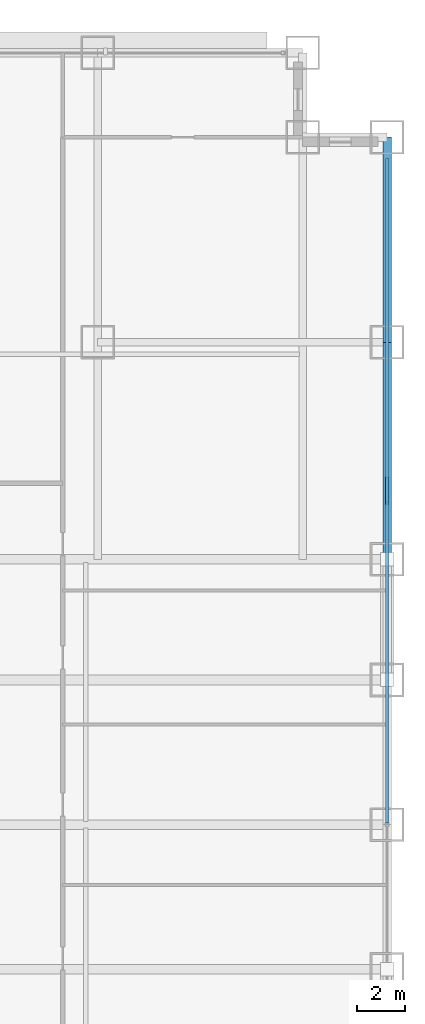
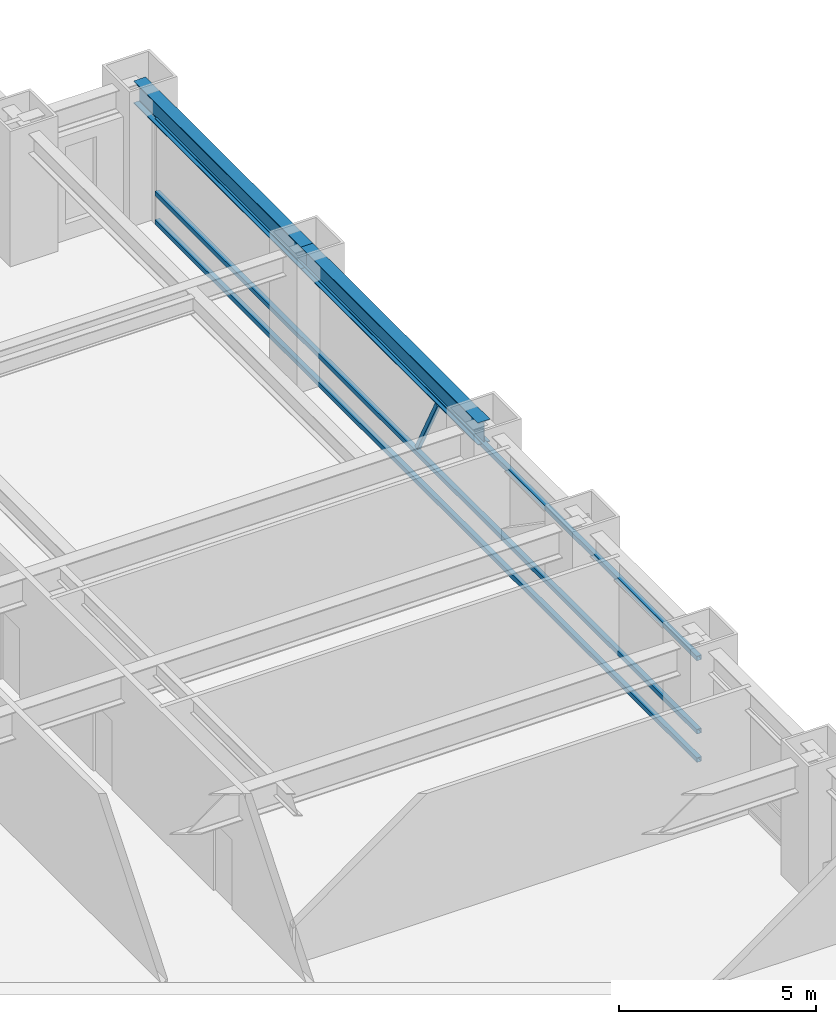
# One storey, part 15 of 32: 4 members, 2 beams, 1 element without a shape of its own.
"""IFC4 building model written with IfcOpenShell, lengths in metres."""

from ifc_helpers import new_model, si_unit, direction, frame, origin, origin_2d, place, context, subcontext, project, spatial, hollow_rectangle, i_section, extrude, source, transform, mapped, material, material_profile, profile_set, type_object, element, aggregate, save


model = new_model("IFC4")

# Units and contexts
model_context = context("Model", 3, precision=1e-05, world=origin(), true_north=direction((0.0, 1.0)))
body_context = subcontext(model_context, "Body", "Model", "MODEL_VIEW")
ifc_project = project(units=[si_unit("LENGTHUNIT", "METRE"), si_unit("AREAUNIT", "SQUARE_METRE"), si_unit("VOLUMEUNIT", "CUBIC_METRE"), si_unit("PLANEANGLEUNIT", "RADIAN"), si_unit("MASSUNIT", "GRAM", prefix="KILO")], contexts=[model_context])

# Site, building, storey
site_placement = place(None, origin())
site = spatial("IfcSite", under=ifc_project, at=site_placement, CompositionType="ELEMENT")
building_placement = place(site_placement, origin())
building = spatial("IfcBuilding", under=site, at=building_placement, Name="Khorayat Bourse Tower", CompositionType="ELEMENT")
storey_placement = place(building_placement, frame((0.0, 0.0, 74.60009765625)))
storey = spatial("IfcBuildingStorey", under=building, at=storey_placement, Name="L16", CompositionType="ELEMENT", Elevation=74.60009765625)

# Beams
ifc_material_1 = material(Name="Steel ASTM A992 Grade 50", Category="steel")
ifc_material_profile_1 = material_profile(ifc_material_1, i_section(OverallWidth=0.35498046875, OverallDepth=0.695068359375, WebThickness=0.015380859375, FlangeThickness=0.02490234375, FilletRadius=0.01806640625, at=origin_2d()), Name="W690X217")
ifc_profile_set_1 = profile_set([ifc_material_profile_1], Name="Steel ASTM A992 Grade 50")
beam_type = type_object("IfcBeamType", Name="BM-SPAN-690", PredefinedType="SPANDREL", material=ifc_profile_set_1)
shared_shape_1 = source(origin(), body_context, "Body", "SweptSolid", [
    extrude(i_section(OverallWidth=0.35498046875, OverallDepth=0.695068359375, WebThickness=0.015380859375, FlangeThickness=0.02490234375, FilletRadius=0.01806640625, at=origin_2d()), origin(), (0.0, 0.0, 1.0), 8.5),
])
beam_1_placement = place(storey_placement, frame((32.0, 20.0, 3.59228515625), z_axis=(0.0, 1.0, 0.0), x_axis=(-1.0, 0.0, 0.0)))
element("IfcBeam", 1, at=beam_1_placement, inside=storey, type_object=beam_type, Name="L16 BM-SPAN-690 BM-L16-SPN-041", PredefinedType="SPANDREL", context=body_context, shape_type="MappedRepresentation", body=[
    mapped(shared_shape_1, transform((0.0, 0.0, 0.0), scale=1.0)),
])
shared_shape_2 = source(origin(), body_context, "Body", "SweptSolid", [
    extrude(i_section(OverallWidth=0.35498046875, OverallDepth=0.695068359375, WebThickness=0.015380859375, FlangeThickness=0.02490234375, FilletRadius=0.01806640625, at=origin_2d()), origin(), (0.0, 0.0, 1.0), 9.0),
])
beam_2_placement = place(storey_placement, frame((32.0, 11.0, 3.59228515625), z_axis=(0.0, 1.0, 0.0), x_axis=(-1.0, 0.0, 0.0)))
element("IfcBeam", 2, at=beam_2_placement, inside=storey, type_object=beam_type, Name="L16 BM-SPAN-690 BM-L16-SPN-040", PredefinedType="SPANDREL", context=body_context, shape_type="MappedRepresentation", body=[
    mapped(shared_shape_2, transform((0.0, 0.0, 0.0), scale=1.0)),
])

# Curtain wall, members
ifc_material_2 = material(Name="Aluminium EN AW-6063 T6", Category="aluminium")
curtain_wall_type = type_object("IfcCurtainWallType", Name="CW-SYS-02", PredefinedType="NOTDEFINED", material=ifc_material_2)
curtain_wall_placement = place(storey_placement, origin())
curtain_wall = element("IfcCurtainWall", 3, at=curtain_wall_placement, inside=storey, type_object=curtain_wall_type, Name="L16 Curtain Wall CW-L16-E1", PredefinedType="NOTDEFINED")
ifc_material_profile_2 = material_profile(ifc_material_2, hollow_rectangle(XDim=0.1201171875, YDim=0.1201171875, WallThickness=0.0048828125, at=origin_2d()), Name="ALU 120x120x5")
ifc_profile_set_2 = profile_set([ifc_material_profile_2], Name="Aluminium EN AW-6063 T6")
member_type_1 = type_object("IfcMemberType", Name="CWM-DIAG-120", PredefinedType="MULLION", material=ifc_profile_set_2)
shared_shape_3 = source(origin(), body_context, "Body", "SweptSolid", [
    extrude(hollow_rectangle(XDim=0.1201171875, YDim=0.1201171875, WallThickness=0.0048828125, at=origin_2d()), origin(), (0.0, 0.0, 1.0), 2.22607421875),
])
member_1_placement = place(storey_placement, frame((32.0, 14.3583984375, 1.099853515625), z_axis=(0.0, -0.465759992596, 0.884911085532), x_axis=(1.0, 0.0, 0.0)))
member_1 = element("IfcMember", 4, at=member_1_placement, type_object=member_type_1, Name="CW-L16-E1 Faceted Diagonal Mullion 2", PredefinedType="MULLION", context=body_context, shape_type="MappedRepresentation", body=[
    mapped(shared_shape_3, transform((0.0, 0.0, 0.0), scale=1.0)),
])
ifc_material_profile_3 = material_profile(ifc_material_2, hollow_rectangle(XDim=0.139892578125, YDim=0.139892578125, WallThickness=0.006103515625, at=origin_2d()), Name="ALU 140x140x6")
ifc_profile_set_3 = profile_set([ifc_material_profile_3], Name="Aluminium EN AW-6063 T6")
member_type_2 = type_object("IfcMemberType", Name="CWT-HORZ-140", PredefinedType="USERDEFINED", material=ifc_profile_set_3)
shared_shape_4 = source(origin(), body_context, "Body", "SweptSolid", [
    extrude(hollow_rectangle(XDim=0.139892578125, YDim=0.139892578125, WallThickness=0.006103515625, at=origin_2d()), origin(), (0.0, 0.0, 1.0), 27.5400390625),
])
member_2_placement = place(storey_placement, frame((32.0, 0.070068359375, 0.06982421875), z_axis=(0.0, 1.0, 0.0), x_axis=(-1.0, 0.0, 0.0)))
member_2 = element("IfcMember", 5, at=member_2_placement, type_object=member_type_2, Name="CW-L16-E1 Horizontal Transom 2-1", ObjectType="TRANSOM", PredefinedType="USERDEFINED", context=body_context, shape_type="MappedRepresentation", body=[
    mapped(shared_shape_4, transform((0.0, 0.0, 0.0), scale=1.0)),
])
member_3_placement = place(storey_placement, frame((32.0, 0.070068359375, 0.949951171875), z_axis=(0.0, 1.0, 0.0), x_axis=(-1.0, 0.0, 0.0)))
member_3 = element("IfcMember", 6, at=member_3_placement, type_object=member_type_2, Name="CW-L16-E1 Horizontal Transom 2-2", ObjectType="TRANSOM", PredefinedType="USERDEFINED", context=body_context, shape_type="MappedRepresentation", body=[
    mapped(shared_shape_4, transform((0.0, 0.0, 0.0), scale=1.0)),
])
member_4_placement = place(storey_placement, frame((32.0, 0.070068359375, 3.219970703125), z_axis=(0.0, 1.0, 0.0), x_axis=(-1.0, 0.0, 0.0)))
member_4 = element("IfcMember", 7, at=member_4_placement, type_object=member_type_2, Name="CW-L16-E1 Horizontal Transom 2-3", ObjectType="TRANSOM", PredefinedType="USERDEFINED", context=body_context, shape_type="MappedRepresentation", body=[
    mapped(shared_shape_4, transform((0.0, 0.0, 0.0), scale=1.0)),
])
aggregate(curtain_wall, [member_2, member_3, member_4, member_1])

save(model, "model.ifc")
